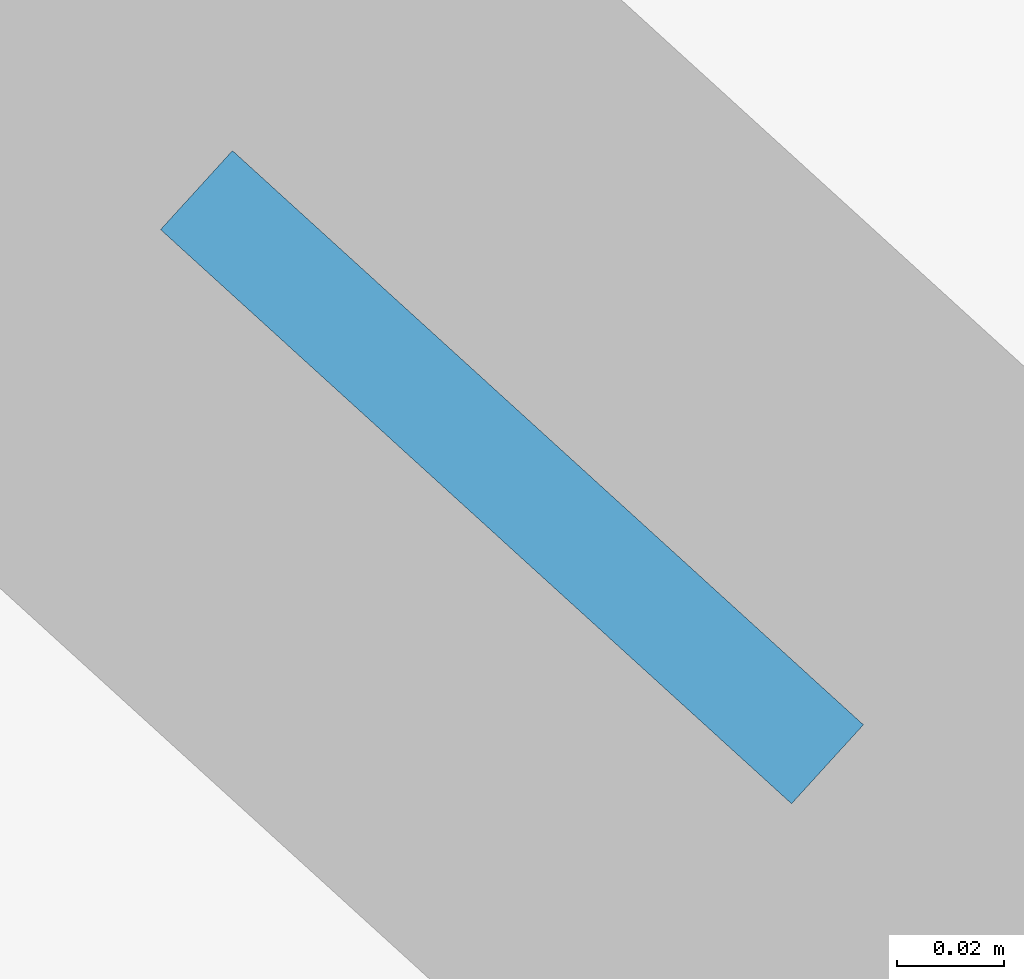
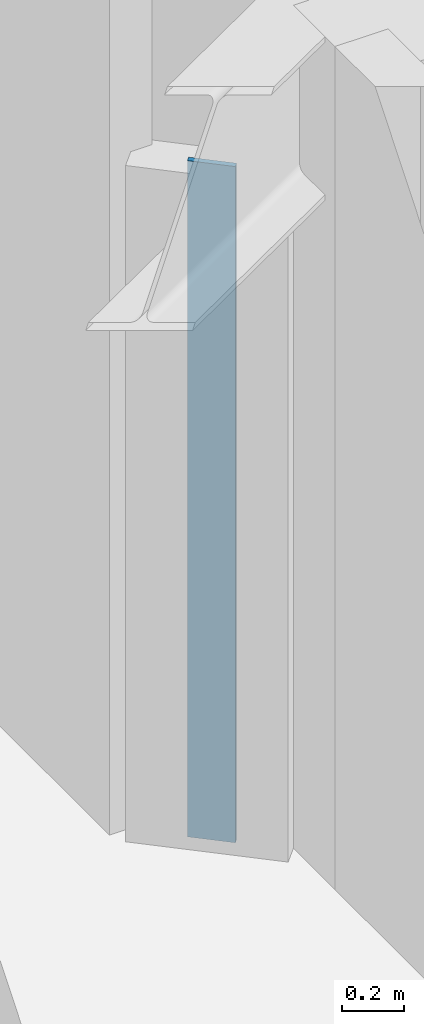
# One storey, part 3 of 9: 1 plate.
"""IFC4 building model written with IfcOpenShell, lengths in metres."""

from ifc_helpers import new_model, si_unit, direction, frame, origin, origin_2d, place, context, subcontext, project, spatial, rectangle, extrude, material, layer, layer_set, type_object, element, save


model = new_model("IFC4")

# Units and contexts
model_context = context("Model", 3, precision=1e-05, world=origin(), true_north=direction((0.0, 1.0)))
body_context = subcontext(model_context, "Body", "Model", "MODEL_VIEW")
ifc_project = project(units=[si_unit("LENGTHUNIT", "METRE"), si_unit("AREAUNIT", "SQUARE_METRE"), si_unit("VOLUMEUNIT", "CUBIC_METRE"), si_unit("PLANEANGLEUNIT", "RADIAN"), si_unit("MASSUNIT", "GRAM", prefix="KILO")], contexts=[model_context])

# Site, building, storey
site_placement = place(None, origin())
site = spatial("IfcSite", under=ifc_project, at=site_placement, CompositionType="ELEMENT")
building_placement = place(site_placement, origin())
building = spatial("IfcBuilding", under=site, at=building_placement, Name="Miruveldt Soraemaru", CompositionType="ELEMENT")
storey_placement = place(building_placement, frame((0.0, 0.0, 223.199951171875)))
storey = spatial("IfcBuildingStorey", under=building, at=storey_placement, Name="L61", CompositionType="ELEMENT", Elevation=223.199951171875)

# Plate
ifc_material = material(Name="Anodised aluminium EN AW-6063 T6", Category="aluminium")
ifc_layer = layer(ifc_material, 0.02001953125, Name="Anodised aluminium EN AW-6063 T6", Category="aluminium")
ifc_layer_set = layer_set([ifc_layer], Name="Anodised aluminium EN AW-6063 T6")
plate_type = type_object("IfcPlateType", Name="PLT-PART-TRIM", PredefinedType="SHEET", material=ifc_layer_set)
plate_placement = place(storey_placement, frame((35.14990234375, 52.8720703125, 0.0), z_axis=(0.0, 0.0, 1.0), x_axis=(0.739631094979, -0.67301251351, 0.0)))
element("IfcPlate", 1, at=plate_placement, inside=storey, type_object=plate_type, Name="L61 Partition Step Corner Trim Plate 001", PredefinedType="SHEET", context=body_context, shape_type="SweptSolid", body=[
    extrude(rectangle(XDim=0.159912109375, YDim=0.02001953125, at=origin_2d()), origin(), (0.0, 0.0, 1.0), 2.68310546875),
])

save(model, "model.ifc")
